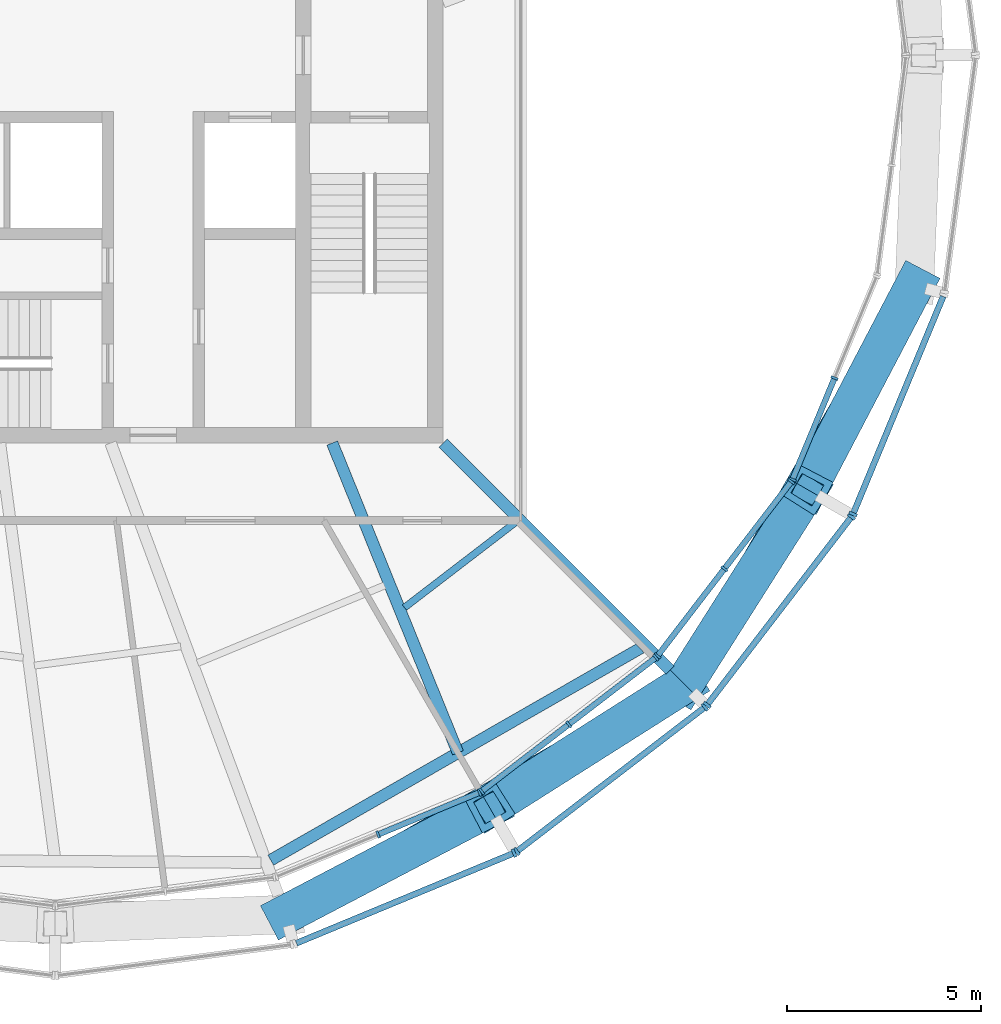
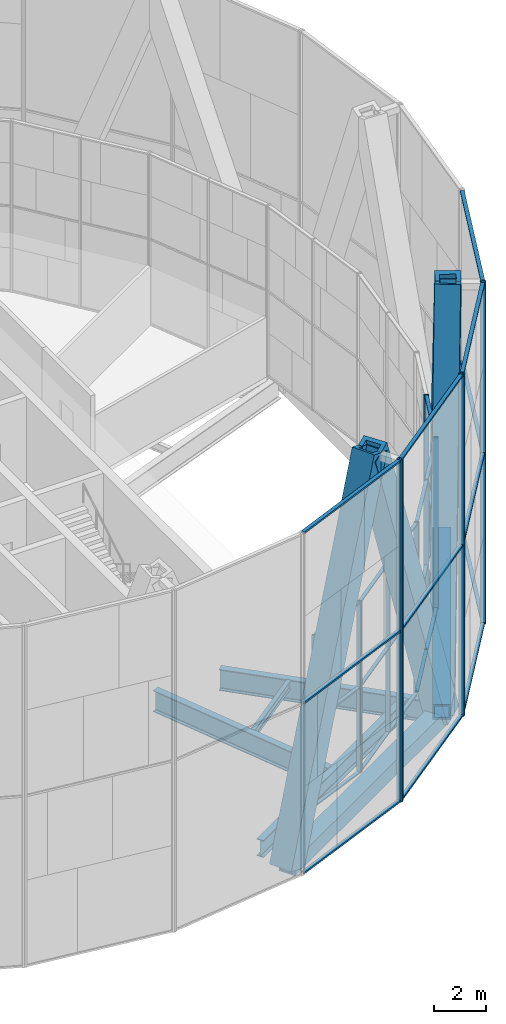
# One storey, part 4 of 22: 50 members, 6 beams, 8 elements without a shape of their own.
"""IFC4 building model written with IfcOpenShell, lengths in metres."""

import ifcopenshell
import ifcopenshell.guid

model = None  # the IFC model being written
_history = None  # IfcOwnerHistory: only IFC2X3 demands one
_inside = {}  # id of a spatial element -> (the spatial element, [elements in it])
_under = {}  # id of a project, library or spatial element -> (it, [spatial elements below it])
_declared = {}  # id of a project -> (the project, [libraries it declares])
_typed = {}  # id of a type object -> (the type object, [elements of that type])
_made_of = {}  # id of a material, layer set ... -> (it, [elements and type objects made of it])


def new_model(schema):
    """Start an empty IFC model of exactly this schema.

    Asked for "IFC4X3", IfcOpenShell would pick the latest addendum, in which some entities
    have other attributes; the version numbers below select the first issue.
    IFC2X3 requires an IfcOwnerHistory on every rooted entity: one is made here for all.
    """
    global model, _history
    if schema == "IFC4X3":
        model = ifcopenshell.file(schema_version=(4, 3, 0, 0))
    else:
        model = ifcopenshell.file(schema=schema)
    _inside.clear()
    _under.clear()
    _declared.clear()
    _typed.clear()
    _made_of.clear()
    _history = None
    if model.schema == "IFC2X3":
        org = make("IfcOrganization", Name="unknown")
        user = make(
            "IfcPersonAndOrganization",
            ThePerson=make("IfcPerson", FamilyName="unknown"),
            TheOrganization=org,
        )
        app = make(
            "IfcApplication",
            ApplicationDeveloper=org,
            Version="unknown",
            ApplicationFullName="unknown",
            ApplicationIdentifier="unknown",
        )
        _history = make(
            "IfcOwnerHistory",
            OwningUser=user,
            OwningApplication=app,
            ChangeAction="ADDED",
            CreationDate=0,
        )
    return model


def make(cls, **values):
    """One entity of the class cls with the attributes given. An attribute that is None is left unset."""
    return model.create_entity(
        cls, **{name: value for name, value in values.items() if value is not None}
    )


def rooted(cls, **values):
    """An entity with a GlobalId (a new one), such as an element, a storey or a relation."""
    return make(cls, GlobalId=ifcopenshell.guid.new(), OwnerHistory=_history, **values)


def si_unit(unit_type, name, prefix=None):
    """IfcSIUnit, for example si_unit("LENGTHUNIT", "METRE", prefix="MILLI")."""
    return make("IfcSIUnit", UnitType=unit_type, Prefix=prefix, Name=name)


def assignment(units):
    """IfcUnitAssignment: the units of a project."""
    return None if units is None else make("IfcUnitAssignment", Units=units)


def point(xyz):
    """IfcCartesianPoint."""
    return None if xyz is None else make("IfcCartesianPoint", Coordinates=xyz)


def direction(xyz):
    """IfcDirection."""
    return None if xyz is None else make("IfcDirection", DirectionRatios=xyz)


def frame(location, z_axis=None, x_axis=None):
    """IfcAxis2Placement3D, a coordinate frame: its origin and axes. An axis left out is left unset."""
    return make(
        "IfcAxis2Placement3D",
        Location=point(location),
        Axis=direction(z_axis),
        RefDirection=direction(x_axis),
    )


def frame_2d(location, x_axis=None):
    """IfcAxis2Placement2D, a coordinate frame in the plane: its origin and x axis."""
    return make(
        "IfcAxis2Placement2D", Location=point(location), RefDirection=direction(x_axis)
    )


def origin():
    """The frame at (0, 0, 0) with its axes left unset."""
    return frame((0.0, 0.0, 0.0))


def origin_2d():
    """The frame at (0, 0) in the plane with its x axis left unset."""
    return frame_2d((0.0, 0.0))


def place(relative_to, where):
    """IfcLocalPlacement: puts the frame where relative to a parent placement (None: the world)."""
    return make(
        "IfcLocalPlacement", PlacementRelTo=relative_to, RelativePlacement=where
    )


def context(
    kind, dimensions, precision=None, world=None, true_north=None, identifier=None
):
    """IfcGeometricRepresentationContext, for example the 3D "Model" context."""
    return make(
        "IfcGeometricRepresentationContext",
        ContextIdentifier=identifier,
        ContextType=kind,
        CoordinateSpaceDimension=dimensions,
        Precision=precision,
        WorldCoordinateSystem=world,
        TrueNorth=true_north,
    )


def subcontext(parent, identifier, kind, view, scale=None):
    """IfcGeometricRepresentationSubContext, for example "Body" below "Model"."""
    return make(
        "IfcGeometricRepresentationSubContext",
        ContextIdentifier=identifier,
        ContextType=kind,
        ParentContext=parent,
        TargetScale=scale,
        TargetView=view,
    )


def project(units=None, contexts=None):
    """IfcProject with its units and contexts."""
    return rooted(
        "IfcProject",
        Name="project",
        RepresentationContexts=contexts,
        UnitsInContext=assignment(units),
    )


def spatial(cls, under=None, at=None, **own):
    """A site, building, storey or space (cls), placed at a placement, below another one or the project."""
    s = rooted(cls, ObjectPlacement=at, **own)
    if under is not None:
        _under.setdefault(under.id(), (under, []))[1].append(s)
    return s


def profile(cls, at=None, kind="AREA", **sizes):
    """A parametric profile (cls). Its sizes go by their IFC names, for example OverallWidth=200.0."""
    return make(cls, ProfileType=kind, Position=at, **sizes)


def rectangle(**sizes):
    """IfcRectangleProfileDef."""
    return profile("IfcRectangleProfileDef", **sizes)


def hollow_rectangle(**sizes):
    """IfcRectangleHollowProfileDef."""
    return profile("IfcRectangleHollowProfileDef", **sizes)


def i_section(**sizes):
    """IfcIShapeProfileDef."""
    return profile("IfcIShapeProfileDef", **sizes)


def extrude(swept, where, along, depth):
    """IfcExtrudedAreaSolid: the profile swept, set in the frame where, extruded along a direction by depth."""
    return make(
        "IfcExtrudedAreaSolid",
        SweptArea=swept,
        Position=where,
        ExtrudedDirection=direction(along),
        Depth=depth,
    )


def shape(context_of_items, identifier, shape_type, items):
    """IfcShapeRepresentation: the items that make up one representation, for example the "Body"."""
    return make(
        "IfcShapeRepresentation",
        ContextOfItems=context_of_items,
        RepresentationIdentifier=identifier,
        RepresentationType=shape_type,
        Items=items,
    )


def material(Name=None, Category=None):
    """IfcMaterial."""
    return make("IfcMaterial", Name=Name, Category=Category)


def material_profile(
    of_material, cross_section, Name=None, Category=None, Priority=None
):
    """IfcMaterialProfile: a cross section and its material."""
    return make(
        "IfcMaterialProfile",
        Name=Name,
        Material=of_material,
        Profile=cross_section,
        Priority=Priority,
        Category=Category,
    )


def profile_set(profiles, Name=None, composite=None):
    """IfcMaterialProfileSet."""
    return make(
        "IfcMaterialProfileSet",
        Name=Name,
        MaterialProfiles=profiles,
        CompositeProfile=composite,
    )


def made_of(thing, what):
    """Note that an element or type object is made of a material, layer set ...; save() writes the relation."""
    if what is not None:
        _made_of.setdefault(what.id(), (what, []))[1].append(thing)
    return thing


def type_object(cls, material=None, **own):
    """A type object (cls), such as IfcWallType, which elements share."""
    return made_of(rooted(cls, **own), material)


def element(
    cls,
    number,
    at=None,
    inside=None,
    cuts=None,
    type_object=None,
    material=None,
    context=None,
    identifier="Body",
    shape_type=None,
    held_by="IfcProductDefinitionShape",
    body=None,
    shapes=None,
    **own,
):
    """One element of the class cls, such as IfcWall. Its Tag is "e" and its number.

    at: its placement. inside: the storey or other place that contains it. cuts: it is an
    opening in that element (IfcRelVoidsElement). A single representation is given by context,
    identifier, shape_type and body (its items); several are given by shapes. held_by: the class
    of the entity that holds the representations. save() writes the other relations.
    """
    e = rooted(cls, Tag="e%d" % number, ObjectPlacement=at, **own)
    if body is not None:
        shapes = [shape(context, identifier, shape_type, body)]
    if shapes is not None:
        e.Representation = make(held_by, Representations=shapes)
    if inside is not None:
        _inside.setdefault(inside.id(), (inside, []))[1].append(e)
    if cuts is not None:
        rooted(
            "IfcRelVoidsElement", RelatingBuildingElement=cuts, RelatedOpeningElement=e
        )
    if type_object is not None:
        _typed.setdefault(type_object.id(), (type_object, []))[1].append(e)
    return made_of(e, material)


def aggregate(whole, parts):
    """IfcRelAggregates: a whole, such as a stair, and the parts it consists of."""
    return rooted("IfcRelAggregates", RelatingObject=whole, RelatedObjects=parts)


def save(model, path):
    """Write the relations noted so far, then the file.

    IfcRelAggregates (storeys below a building ...), IfcRelContainedInSpatialStructure (elements
    in a storey), IfcRelDefinesByType, IfcRelAssociatesMaterial and IfcRelDeclares: one each for
    every whole, place, type object, material and project.
    """
    for whole, parts in _under.values():
        aggregate(whole, parts)
    for where, things in _inside.values():
        rooted(
            "IfcRelContainedInSpatialStructure",
            RelatedElements=things,
            RelatingStructure=where,
        )
    for kind, things in _typed.values():
        rooted("IfcRelDefinesByType", RelatedObjects=things, RelatingType=kind)
    for what, things in _made_of.values():
        rooted("IfcRelAssociatesMaterial", RelatedObjects=things, RelatingMaterial=what)
    for by, libraries in _declared.values():
        rooted("IfcRelDeclares", RelatingContext=by, RelatedDefinitions=libraries)
    model.write(path)


model = new_model("IFC4")

# Units and contexts
model_context = context("Model", 3, precision=1e-05, world=origin(), true_north=direction((0.0, 1.0)))
body_context = subcontext(model_context, "Body", "Model", "MODEL_VIEW")
ifc_project = project(units=[si_unit("LENGTHUNIT", "METRE"), si_unit("AREAUNIT", "SQUARE_METRE"), si_unit("VOLUMEUNIT", "CUBIC_METRE"), si_unit("PLANEANGLEUNIT", "RADIAN"), si_unit("MASSUNIT", "GRAM", prefix="KILO")], contexts=[model_context])

# Site, building, storey
site_placement = place(None, origin())
site = spatial("IfcSite", under=ifc_project, at=site_placement, CompositionType="ELEMENT")
building_placement = place(site_placement, origin())
building = spatial("IfcBuilding", under=site, at=building_placement, Name="Golbaran Civic Tower", CompositionType="ELEMENT")
storey_placement = place(building_placement, frame((0.0, 0.0, 264.0)))
storey = spatial("IfcBuildingStorey", under=building, at=storey_placement, Name="L64", CompositionType="ELEMENT", Elevation=264.0)

# Members
ifc_material_1 = material(Name="Steel S355", Category="steel")
ifc_material_profile_1 = material_profile(ifc_material_1, hollow_rectangle(XDim=1.0, YDim=1.0, WallThickness=0.179931640625, at=origin_2d()), Name="BOX 1000x1000x180")
ifc_profile_set_1 = profile_set([ifc_material_profile_1], Name="Steel S355")
member_type_1 = type_object("IfcMemberType", Name="DIAGRID DIAGONAL BOX 1000x1000x180", PredefinedType="BRACE", material=ifc_profile_set_1)
for number, where, z_axis, x_axis, name in (
    (1, (5.936767578125, -22.156494140625, -0.7099609375), (0.308371574219, 0.161566793339, 0.937445008256), (-0.464094506505, 0.885785690239, 0.0), "Diagonal D15-09R L64-L68"),
    (2, (16.2197265625, -16.2197265625, -0.7099609375), (0.186270223703, 0.294110126675, 0.937444738184), (-0.844818456458, 0.535053058703, 0.0), "Diagonal D15-10R L64-L68"),
    (3, (16.2197265625, -16.2197265625, -0.7099609375), (-0.294110126675, -0.186270223703, 0.937444738184), (0.535053058703, -0.844818456458, 0.0), "Diagonal D15-10L L64-L68"),
    (4, (22.156494140625, -5.936767578125, -0.7099609375), (-0.161566793339, -0.308371574219, 0.937445008256), (0.885785690239, -0.464094506505, 0.0), "Diagonal D15-11L L64-L68"),
):
    element("IfcMember", number, at=place(storey_placement, frame(where, z_axis=z_axis, x_axis=x_axis)), inside=storey, type_object=member_type_1, Name=name, PredefinedType="BRACE", context=body_context, shape_type="SweptSolid", body=[
        extrude(hollow_rectangle(XDim=1.0, YDim=1.0, WallThickness=0.179931640625, at=origin_2d()), origin(), (0.0, 0.0, 1.0), 17.067626953125),
    ])

# Beams
ifc_material_profile_2 = material_profile(ifc_material_1, hollow_rectangle(XDim=0.699951171875, YDim=0.699951171875, WallThickness=0.080078125, at=origin_2d()), Name="BOX 700x700x80")
ifc_profile_set_2 = profile_set([ifc_material_profile_2], Name="Steel S355")
beam_type_1 = type_object("IfcBeamType", Name="DIAGRID RING TIE BOX 700x700x80", PredefinedType="BEAM", material=ifc_profile_set_2)
for number, where, z_axis, x_axis, name in (
    (5, (5.936767578125, -22.156494140625, -0.7099609375), (0.866029107461, 0.499993584989, 0.0), (-0.499993584989, 0.866029107461, 0.0), "Ring tie 285.00 L64"),
    (6, (16.2197265625, -16.2197265625, -0.7099609375), (0.499993584989, 0.866029107461, 0.0), (-0.866029107461, 0.499993584989, 0.0), "Ring tie 315.00 L64"),
):
    element("IfcBeam", number, at=place(storey_placement, frame(where, z_axis=z_axis, x_axis=x_axis)), inside=storey, type_object=beam_type_1, Name=name, PredefinedType="BEAM", context=body_context, shape_type="SweptSolid", body=[
        extrude(hollow_rectangle(XDim=0.699951171875, YDim=0.699951171875, WallThickness=0.080078125, at=origin_2d()), origin(), (0.0, 0.0, 1.0), 11.873779296875),
    ])
ifc_material_profile_3 = material_profile(ifc_material_1, i_section(OverallWidth=0.300048828125, OverallDepth=0.800048828125, WebThickness=0.017578125, FlangeThickness=0.032958984375, FilletRadius=0.030029296875, at=origin_2d()), Name="HEB 800")
ifc_profile_set_3 = profile_set([ifc_material_profile_3], Name="Steel S355")
beam_type_2 = type_object("IfcBeamType", Name="EDGE BEAM HEB 800", PredefinedType="BEAM", material=ifc_profile_set_3)
beam_1_placement = place(storey_placement, frame((5.55615234375, -20.75634765625, -0.60009765625), z_axis=(0.867569109913, 0.4973166391, 0.0), x_axis=(-0.4973166391, 0.867569109913, 0.0)))
element("IfcBeam", 7, at=beam_1_placement, inside=storey, type_object=beam_type_2, Name="Edge beam 285.00 L64", PredefinedType="BEAM", context=body_context, shape_type="SweptSolid", body=[
    extrude(i_section(OverallWidth=0.300048828125, OverallDepth=0.800048828125, WebThickness=0.017578125, FlangeThickness=0.032958984375, FilletRadius=0.030029296875, at=origin_2d()), origin(), (0.0, 0.0, 1.0), 11.001953125),
])
ifc_material_profile_4 = material_profile(ifc_material_1, i_section(OverallWidth=0.179931640625, OverallDepth=0.39990234375, WebThickness=0.008544921875, FlangeThickness=0.013427734375, FilletRadius=0.02099609375, at=origin_2d()), Name="IPE 400")
ifc_profile_set_4 = profile_set([ifc_material_profile_4], Name="Steel S355")
beam_type_3 = type_object("IfcBeamType", Name="FLOOR INFILL BEAM IPE 400", PredefinedType="BEAM", material=ifc_profile_set_4)
beam_2_placement = place(storey_placement, frame((9.00537109375, -14.24267578125, -0.39990234375), z_axis=(0.793351170726, 0.608764256431, 0.0), x_axis=(-0.608764256431, 0.793351170726, 0.0)))
element("IfcBeam", 8, at=beam_2_placement, inside=storey, type_object=beam_type_3, Name="Infill beam 307.50 L64", PredefinedType="BEAM", context=body_context, shape_type="SweptSolid", body=[
    extrude(i_section(OverallWidth=0.179931640625, OverallDepth=0.39990234375, WebThickness=0.008544921875, FlangeThickness=0.013427734375, FilletRadius=0.02099609375, at=origin_2d()), origin(), (0.0, 0.0, 1.0), 3.604248046875),
])

# Curtain wall, members
ifc_material_2 = material(Name="Aluminium and glass", Category="aluminium")
curtain_wall_type_1 = type_object("IfcCurtainWallType", Name="INNER SKIN CURTAIN WALL EXECUTIVE", PredefinedType="NOTDEFINED", material=ifc_material_2)
curtain_wall_1_placement = place(storey_placement, origin())
curtain_wall_1 = element("IfcCurtainWall", 9, at=curtain_wall_1_placement, inside=storey, type_object=curtain_wall_type_1, Name="Inner skin L64 facet 20 CW2", ObjectType="INNER SKIN", PredefinedType="USERDEFINED")
ifc_material_3 = material(Name="Aluminium", Category="aluminium")
ifc_material_profile_5 = material_profile(ifc_material_3, rectangle(XDim=0.199951171875, YDim=0.06005859375, at=origin_2d()), Name="INNER SKIN CURTAIN WALL EXECUTIVE MULLION")
ifc_profile_set_5 = profile_set([ifc_material_profile_5], Name="Aluminium")
member_type_2 = type_object("IfcMemberType", Name="INNER SKIN CURTAIN WALL EXECUTIVE MULLION", PredefinedType="MULLION", material=ifc_profile_set_5)
member_1_placement = place(storey_placement, frame((8.323974609375, -20.095703125, 0.0), z_axis=(0.0, 0.0, 1.0), x_axis=(-0.382683432349, 0.923879532518, 0.0)))
member_1 = element("IfcMember", 10, at=member_1_placement, type_object=member_type_2, Name="CW2 mullion 2", PredefinedType="MULLION", context=body_context, shape_type="SweptSolid", body=[
    extrude(rectangle(XDim=0.199951171875, YDim=0.06005859375, at=origin_2d()), origin(), (0.0, 0.0, 1.0), 8.0),
])
member_2_placement = place(storey_placement, frame((10.94189453125, -19.01123046875, 0.0), z_axis=(0.0, 0.0, 1.0), x_axis=(-0.382683432349, 0.923879532518, 0.0)))
member_2 = element("IfcMember", 11, at=member_2_placement, type_object=member_type_2, Name="CW2 mullion 3", PredefinedType="MULLION", context=body_context, shape_type="SweptSolid", body=[
    extrude(rectangle(XDim=0.199951171875, YDim=0.06005859375, at=origin_2d()), origin(), (0.0, 0.0, 1.0), 8.0),
])

curtain_wall_2_placement = place(storey_placement, origin())
curtain_wall_2 = element("IfcCurtainWall", 12, at=curtain_wall_2_placement, inside=storey, type_object=curtain_wall_type_1, Name="Inner skin L64 facet 21 CW2", ObjectType="INNER SKIN", PredefinedType="USERDEFINED")
member_3_placement = place(storey_placement, frame((10.993408203125, -18.9814453125, 0.0), z_axis=(0.0, 0.0, 1.0), x_axis=(-0.608761429133, 0.793353340196, 0.0)))
member_3 = element("IfcMember", 13, at=member_3_placement, type_object=member_type_2, Name="CW2 mullion 1", PredefinedType="MULLION", context=body_context, shape_type="SweptSolid", body=[
    extrude(rectangle(XDim=0.199951171875, YDim=0.06005859375, at=origin_2d()), origin(), (0.0, 0.0, 1.0), 8.0),
])
member_4_placement = place(storey_placement, frame((13.241455078125, -17.256591796875, 0.0), z_axis=(0.0, 0.0, 1.0), x_axis=(-0.608761429133, 0.793353340196, 0.0)))
member_4 = element("IfcMember", 14, at=member_4_placement, type_object=member_type_2, Name="CW2 mullion 2", PredefinedType="MULLION", context=body_context, shape_type="SweptSolid", body=[
    extrude(rectangle(XDim=0.199951171875, YDim=0.06005859375, at=origin_2d()), origin(), (0.0, 0.0, 1.0), 8.0),
])
member_5_placement = place(storey_placement, frame((15.489501953125, -15.531494140625, 0.0), z_axis=(0.0, 0.0, 1.0), x_axis=(-0.608761429133, 0.793353340196, 0.0)))
member_5 = element("IfcMember", 15, at=member_5_placement, type_object=member_type_2, Name="CW2 mullion 3", PredefinedType="MULLION", context=body_context, shape_type="SweptSolid", body=[
    extrude(rectangle(XDim=0.199951171875, YDim=0.06005859375, at=origin_2d()), origin(), (0.0, 0.0, 1.0), 8.0),
])

curtain_wall_3_placement = place(storey_placement, origin())
curtain_wall_3 = element("IfcCurtainWall", 16, at=curtain_wall_3_placement, inside=storey, type_object=curtain_wall_type_1, Name="Inner skin L64 facet 22 CW2", ObjectType="INNER SKIN", PredefinedType="USERDEFINED")
member_6_placement = place(storey_placement, frame((15.531494140625, -15.489501953125, 0.0), z_axis=(0.0, 0.0, 1.0), x_axis=(-0.793353340196, 0.608761429133, 0.0)))
member_6 = element("IfcMember", 17, at=member_6_placement, type_object=member_type_2, Name="CW2 mullion 1", PredefinedType="MULLION", context=body_context, shape_type="SweptSolid", body=[
    extrude(rectangle(XDim=0.199951171875, YDim=0.06005859375, at=origin_2d()), origin(), (0.0, 0.0, 1.0), 8.0),
])
member_7_placement = place(storey_placement, frame((17.256591796875, -13.241455078125, 0.0), z_axis=(0.0, 0.0, 1.0), x_axis=(-0.793353340196, 0.608761429133, 0.0)))
member_7 = element("IfcMember", 18, at=member_7_placement, type_object=member_type_2, Name="CW2 mullion 2", PredefinedType="MULLION", context=body_context, shape_type="SweptSolid", body=[
    extrude(rectangle(XDim=0.199951171875, YDim=0.06005859375, at=origin_2d()), origin(), (0.0, 0.0, 1.0), 8.0),
])
member_8_placement = place(storey_placement, frame((18.9814453125, -10.993408203125, 0.0), z_axis=(0.0, 0.0, 1.0), x_axis=(-0.793353340196, 0.608761429133, 0.0)))
member_8 = element("IfcMember", 19, at=member_8_placement, type_object=member_type_2, Name="CW2 mullion 3", PredefinedType="MULLION", context=body_context, shape_type="SweptSolid", body=[
    extrude(rectangle(XDim=0.199951171875, YDim=0.06005859375, at=origin_2d()), origin(), (0.0, 0.0, 1.0), 8.0),
])

curtain_wall_4_placement = place(storey_placement, origin())
curtain_wall_4 = element("IfcCurtainWall", 20, at=curtain_wall_4_placement, inside=storey, type_object=curtain_wall_type_1, Name="Inner skin L64 facet 23 CW2", ObjectType="INNER SKIN", PredefinedType="USERDEFINED")
member_9_placement = place(storey_placement, frame((19.01123046875, -10.94189453125, 0.0), z_axis=(0.0, 0.0, 1.0), x_axis=(-0.923879532518, 0.382683432349, 0.0)))
member_9 = element("IfcMember", 21, at=member_9_placement, type_object=member_type_2, Name="CW2 mullion 1", PredefinedType="MULLION", context=body_context, shape_type="SweptSolid", body=[
    extrude(rectangle(XDim=0.199951171875, YDim=0.06005859375, at=origin_2d()), origin(), (0.0, 0.0, 1.0), 8.0),
])
member_10_placement = place(storey_placement, frame((20.095703125, -8.323974609375, 0.0), z_axis=(0.0, 0.0, 1.0), x_axis=(-0.923879532518, 0.382683432349, 0.0)))
member_10 = element("IfcMember", 22, at=member_10_placement, type_object=member_type_2, Name="CW2 mullion 2", PredefinedType="MULLION", context=body_context, shape_type="SweptSolid", body=[
    extrude(rectangle(XDim=0.199951171875, YDim=0.06005859375, at=origin_2d()), origin(), (0.0, 0.0, 1.0), 8.0),
])

# Member
ifc_material_profile_6 = material_profile(ifc_material_3, rectangle(XDim=0.14990234375, YDim=0.06005859375, at=origin_2d()), Name="INNER SKIN CURTAIN WALL EXECUTIVE TRANSOM")
ifc_profile_set_6 = profile_set([ifc_material_profile_6], Name="Aluminium")
member_type_3 = type_object("IfcMemberType", Name="INNER SKIN CURTAIN WALL EXECUTIVE TRANSOM", PredefinedType="USERDEFINED", material=ifc_profile_set_6)
member_11_placement = place(storey_placement, frame((8.3515625, -20.084228515625, 0.030029296875), z_axis=(0.923866634297, 0.382714569924, 0.0), x_axis=(-0.382714569924, 0.923866634297, 0.0)))
member_11 = element("IfcMember", 23, at=member_11_placement, type_object=member_type_3, Name="CW2 transom 2.1", ObjectType="TRANSOM", PredefinedType="USERDEFINED", context=body_context, shape_type="SweptSolid", body=[
    extrude(rectangle(XDim=0.14990234375, YDim=0.06005859375, at=origin_2d()), origin(), (0.0, 0.0, 1.0), 2.773681640625),
])

member_12_placement = place(storey_placement, frame((8.3515625, -20.084228515625, 4.0), z_axis=(0.923866634297, 0.382714569924, 0.0), x_axis=(-0.382714569924, 0.923866634297, 0.0)))
member_12 = element("IfcMember", 24, at=member_12_placement, type_object=member_type_3, Name="CW2 transom 2.2", ObjectType="TRANSOM", PredefinedType="USERDEFINED", context=body_context, shape_type="SweptSolid", body=[
    extrude(rectangle(XDim=0.14990234375, YDim=0.06005859375, at=origin_2d()), origin(), (0.0, 0.0, 1.0), 2.773681640625),
])

member_13_placement = place(storey_placement, frame((8.3515625, -20.084228515625, 7.969970703125), z_axis=(0.923866634297, 0.382714569924, 0.0), x_axis=(-0.382714569924, 0.923866634297, 0.0)))
member_13 = element("IfcMember", 25, at=member_13_placement, type_object=member_type_3, Name="CW2 transom 2.3", ObjectType="TRANSOM", PredefinedType="USERDEFINED", context=body_context, shape_type="SweptSolid", body=[
    extrude(rectangle(XDim=0.14990234375, YDim=0.06005859375, at=origin_2d()), origin(), (0.0, 0.0, 1.0), 2.773681640625),
])

aggregate(curtain_wall_1, [member_1, member_2, member_11, member_12, member_13])

member_14_placement = place(storey_placement, frame((11.01708984375, -18.963134765625, 0.030029296875), z_axis=(0.793349860378, 0.608765964093, 0.0), x_axis=(-0.608765964093, 0.793349860378, 0.0)))
member_14 = element("IfcMember", 26, at=member_14_placement, type_object=member_type_3, Name="CW2 transom 1.1", ObjectType="TRANSOM", PredefinedType="USERDEFINED", context=body_context, shape_type="SweptSolid", body=[
    extrude(rectangle(XDim=0.14990234375, YDim=0.06005859375, at=origin_2d()), origin(), (0.0, 0.0, 1.0), 2.773681640625),
])

member_15_placement = place(storey_placement, frame((11.01708984375, -18.963134765625, 4.0), z_axis=(0.793349860378, 0.608765964093, 0.0), x_axis=(-0.608765964093, 0.793349860378, 0.0)))
member_15 = element("IfcMember", 27, at=member_15_placement, type_object=member_type_3, Name="CW2 transom 1.2", ObjectType="TRANSOM", PredefinedType="USERDEFINED", context=body_context, shape_type="SweptSolid", body=[
    extrude(rectangle(XDim=0.14990234375, YDim=0.06005859375, at=origin_2d()), origin(), (0.0, 0.0, 1.0), 2.773681640625),
])

member_16_placement = place(storey_placement, frame((11.01708984375, -18.963134765625, 7.969970703125), z_axis=(0.793349860378, 0.608765964093, 0.0), x_axis=(-0.608765964093, 0.793349860378, 0.0)))
member_16 = element("IfcMember", 28, at=member_16_placement, type_object=member_type_3, Name="CW2 transom 1.3", ObjectType="TRANSOM", PredefinedType="USERDEFINED", context=body_context, shape_type="SweptSolid", body=[
    extrude(rectangle(XDim=0.14990234375, YDim=0.06005859375, at=origin_2d()), origin(), (0.0, 0.0, 1.0), 2.773681640625),
])

member_17_placement = place(storey_placement, frame((13.26513671875, -17.23828125, 0.030029296875), z_axis=(0.793349860378, 0.608765964093, 0.0), x_axis=(-0.608765964093, 0.793349860378, 0.0)))
member_17 = element("IfcMember", 29, at=member_17_placement, type_object=member_type_3, Name="CW2 transom 2.1", ObjectType="TRANSOM", PredefinedType="USERDEFINED", context=body_context, shape_type="SweptSolid", body=[
    extrude(rectangle(XDim=0.14990234375, YDim=0.06005859375, at=origin_2d()), origin(), (0.0, 0.0, 1.0), 2.773681640625),
])

member_18_placement = place(storey_placement, frame((13.26513671875, -17.23828125, 4.0), z_axis=(0.793349860378, 0.608765964093, 0.0), x_axis=(-0.608765964093, 0.793349860378, 0.0)))
member_18 = element("IfcMember", 30, at=member_18_placement, type_object=member_type_3, Name="CW2 transom 2.2", ObjectType="TRANSOM", PredefinedType="USERDEFINED", context=body_context, shape_type="SweptSolid", body=[
    extrude(rectangle(XDim=0.14990234375, YDim=0.06005859375, at=origin_2d()), origin(), (0.0, 0.0, 1.0), 2.773681640625),
])

member_19_placement = place(storey_placement, frame((13.26513671875, -17.23828125, 7.969970703125), z_axis=(0.793349860378, 0.608765964093, 0.0), x_axis=(-0.608765964093, 0.793349860378, 0.0)))
member_19 = element("IfcMember", 31, at=member_19_placement, type_object=member_type_3, Name="CW2 transom 2.3", ObjectType="TRANSOM", PredefinedType="USERDEFINED", context=body_context, shape_type="SweptSolid", body=[
    extrude(rectangle(XDim=0.14990234375, YDim=0.06005859375, at=origin_2d()), origin(), (0.0, 0.0, 1.0), 2.773681640625),
])

aggregate(curtain_wall_2, [member_3, member_4, member_5, member_14, member_15, member_16, member_17, member_18, member_19])

member_20_placement = place(storey_placement, frame((15.5498046875, -15.465576171875, 0.030029296875), z_axis=(0.608765964093, 0.793349860378, 0.0), x_axis=(-0.793349860378, 0.608765964093, 0.0)))
member_20 = element("IfcMember", 32, at=member_20_placement, type_object=member_type_3, Name="CW2 transom 1.1", ObjectType="TRANSOM", PredefinedType="USERDEFINED", context=body_context, shape_type="SweptSolid", body=[
    extrude(rectangle(XDim=0.14990234375, YDim=0.06005859375, at=origin_2d()), origin(), (0.0, 0.0, 1.0), 2.773681640625),
])

member_21_placement = place(storey_placement, frame((15.5498046875, -15.465576171875, 4.0), z_axis=(0.608765964093, 0.793349860378, 0.0), x_axis=(-0.793349860378, 0.608765964093, 0.0)))
member_21 = element("IfcMember", 33, at=member_21_placement, type_object=member_type_3, Name="CW2 transom 1.2", ObjectType="TRANSOM", PredefinedType="USERDEFINED", context=body_context, shape_type="SweptSolid", body=[
    extrude(rectangle(XDim=0.14990234375, YDim=0.06005859375, at=origin_2d()), origin(), (0.0, 0.0, 1.0), 2.773681640625),
])

member_22_placement = place(storey_placement, frame((15.5498046875, -15.465576171875, 7.969970703125), z_axis=(0.608765964093, 0.793349860378, 0.0), x_axis=(-0.793349860378, 0.608765964093, 0.0)))
member_22 = element("IfcMember", 34, at=member_22_placement, type_object=member_type_3, Name="CW2 transom 1.3", ObjectType="TRANSOM", PredefinedType="USERDEFINED", context=body_context, shape_type="SweptSolid", body=[
    extrude(rectangle(XDim=0.14990234375, YDim=0.06005859375, at=origin_2d()), origin(), (0.0, 0.0, 1.0), 2.773681640625),
])

member_23_placement = place(storey_placement, frame((17.274658203125, -13.217529296875, 0.030029296875), z_axis=(0.608765964093, 0.793349860378, 0.0), x_axis=(-0.793349860378, 0.608765964093, 0.0)))
member_23 = element("IfcMember", 35, at=member_23_placement, type_object=member_type_3, Name="CW2 transom 2.1", ObjectType="TRANSOM", PredefinedType="USERDEFINED", context=body_context, shape_type="SweptSolid", body=[
    extrude(rectangle(XDim=0.14990234375, YDim=0.06005859375, at=origin_2d()), origin(), (0.0, 0.0, 1.0), 2.773681640625),
])

member_24_placement = place(storey_placement, frame((17.274658203125, -13.217529296875, 4.0), z_axis=(0.608765964093, 0.793349860378, 0.0), x_axis=(-0.793349860378, 0.608765964093, 0.0)))
member_24 = element("IfcMember", 36, at=member_24_placement, type_object=member_type_3, Name="CW2 transom 2.2", ObjectType="TRANSOM", PredefinedType="USERDEFINED", context=body_context, shape_type="SweptSolid", body=[
    extrude(rectangle(XDim=0.14990234375, YDim=0.06005859375, at=origin_2d()), origin(), (0.0, 0.0, 1.0), 2.773681640625),
])

member_25_placement = place(storey_placement, frame((17.274658203125, -13.217529296875, 7.969970703125), z_axis=(0.608765964093, 0.793349860378, 0.0), x_axis=(-0.793349860378, 0.608765964093, 0.0)))
member_25 = element("IfcMember", 37, at=member_25_placement, type_object=member_type_3, Name="CW2 transom 2.3", ObjectType="TRANSOM", PredefinedType="USERDEFINED", context=body_context, shape_type="SweptSolid", body=[
    extrude(rectangle(XDim=0.14990234375, YDim=0.06005859375, at=origin_2d()), origin(), (0.0, 0.0, 1.0), 2.773681640625),
])

aggregate(curtain_wall_3, [member_6, member_7, member_8, member_20, member_21, member_22, member_23, member_24, member_25])

member_26_placement = place(storey_placement, frame((19.022705078125, -10.9140625, 0.030029296875), z_axis=(0.382714569924, 0.923866634297, 0.0), x_axis=(-0.923866634297, 0.382714569924, 0.0)))
member_26 = element("IfcMember", 38, at=member_26_placement, type_object=member_type_3, Name="CW2 transom 1.1", ObjectType="TRANSOM", PredefinedType="USERDEFINED", context=body_context, shape_type="SweptSolid", body=[
    extrude(rectangle(XDim=0.14990234375, YDim=0.06005859375, at=origin_2d()), origin(), (0.0, 0.0, 1.0), 2.773681640625),
])

member_27_placement = place(storey_placement, frame((19.022705078125, -10.9140625, 4.0), z_axis=(0.382714569924, 0.923866634297, 0.0), x_axis=(-0.923866634297, 0.382714569924, 0.0)))
member_27 = element("IfcMember", 39, at=member_27_placement, type_object=member_type_3, Name="CW2 transom 1.2", ObjectType="TRANSOM", PredefinedType="USERDEFINED", context=body_context, shape_type="SweptSolid", body=[
    extrude(rectangle(XDim=0.14990234375, YDim=0.06005859375, at=origin_2d()), origin(), (0.0, 0.0, 1.0), 2.773681640625),
])

member_28_placement = place(storey_placement, frame((19.022705078125, -10.9140625, 7.969970703125), z_axis=(0.382714569924, 0.923866634297, 0.0), x_axis=(-0.923866634297, 0.382714569924, 0.0)))
member_28 = element("IfcMember", 40, at=member_28_placement, type_object=member_type_3, Name="CW2 transom 1.3", ObjectType="TRANSOM", PredefinedType="USERDEFINED", context=body_context, shape_type="SweptSolid", body=[
    extrude(rectangle(XDim=0.14990234375, YDim=0.06005859375, at=origin_2d()), origin(), (0.0, 0.0, 1.0), 2.773681640625),
])

aggregate(curtain_wall_4, [member_9, member_10, member_26, member_27, member_28])

# Curtain wall, member
curtain_wall_type_2 = type_object("IfcCurtainWallType", Name="OUTER SKIN TERRACOTTA SCREEN", PredefinedType="NOTDEFINED", material=ifc_material_2)
curtain_wall_5_placement = place(storey_placement, origin())
curtain_wall_5 = element("IfcCurtainWall", 41, at=curtain_wall_5_placement, inside=storey, type_object=curtain_wall_type_2, Name="Outer skin L64 facet 20 CW3", ObjectType="OUTER SKIN", PredefinedType="USERDEFINED")
ifc_material_profile_7 = material_profile(ifc_material_3, rectangle(XDim=0.219970703125, YDim=0.080078125, at=origin_2d()), Name="OUTER SKIN TERRACOTTA SCREEN MULLION")
ifc_profile_set_7 = profile_set([ifc_material_profile_7], Name="Aluminium")
member_type_4 = type_object("IfcMemberType", Name="OUTER SKIN TERRACOTTA SCREEN MULLION", PredefinedType="MULLION", material=ifc_profile_set_7)
member_29_placement = place(storey_placement, frame((11.83203125, -20.572998046875, -0.7099609375), z_axis=(0.0, 0.0, 1.0), x_axis=(-0.382683432333, 0.923879532525, 0.0)))
member_29 = element("IfcMember", 42, at=member_29_placement, type_object=member_type_4, Name="CW3 mullion 2", PredefinedType="MULLION", context=body_context, shape_type="SweptSolid", body=[
    extrude(rectangle(XDim=0.219970703125, YDim=0.080078125, at=origin_2d()), origin(), (0.0, 0.0, 1.0), 16.0),
])

# Curtain wall, members
curtain_wall_6_placement = place(storey_placement, origin())
curtain_wall_6 = element("IfcCurtainWall", 43, at=curtain_wall_6_placement, inside=storey, type_object=curtain_wall_type_2, Name="Outer skin L64 facet 21 CW3", ObjectType="OUTER SKIN", PredefinedType="USERDEFINED")
member_30_placement = place(storey_placement, frame((11.900634765625, -20.533447265625, -0.7099609375), z_axis=(0.0, 0.0, 1.0), x_axis=(-0.608761428967, 0.793353340323, 0.0)))
member_30 = element("IfcMember", 44, at=member_30_placement, type_object=member_type_4, Name="CW3 mullion 1", PredefinedType="MULLION", context=body_context, shape_type="SweptSolid", body=[
    extrude(rectangle(XDim=0.219970703125, YDim=0.080078125, at=origin_2d()), origin(), (0.0, 0.0, 1.0), 16.0),
])
member_31_placement = place(storey_placement, frame((16.753662109375, -16.8095703125, -0.7099609375), z_axis=(0.0, 0.0, 1.0), x_axis=(-0.608761428967, 0.793353340323, 0.0)))
member_31 = element("IfcMember", 45, at=member_31_placement, type_object=member_type_4, Name="CW3 mullion 2", PredefinedType="MULLION", context=body_context, shape_type="SweptSolid", body=[
    extrude(rectangle(XDim=0.219970703125, YDim=0.080078125, at=origin_2d()), origin(), (0.0, 0.0, 1.0), 16.0),
])

curtain_wall_7_placement = place(storey_placement, origin())
curtain_wall_7 = element("IfcCurtainWall", 46, at=curtain_wall_7_placement, inside=storey, type_object=curtain_wall_type_2, Name="Outer skin L64 facet 22 CW3", ObjectType="OUTER SKIN", PredefinedType="USERDEFINED")
member_32_placement = place(storey_placement, frame((16.8095703125, -16.753662109375, -0.7099609375), z_axis=(0.0, 0.0, 1.0), x_axis=(-0.793353340323, 0.608761428967, 0.0)))
member_32 = element("IfcMember", 47, at=member_32_placement, type_object=member_type_4, Name="CW3 mullion 1", PredefinedType="MULLION", context=body_context, shape_type="SweptSolid", body=[
    extrude(rectangle(XDim=0.219970703125, YDim=0.080078125, at=origin_2d()), origin(), (0.0, 0.0, 1.0), 16.0),
])
member_33_placement = place(storey_placement, frame((20.533447265625, -11.900634765625, -0.7099609375), z_axis=(0.0, 0.0, 1.0), x_axis=(-0.793353340323, 0.608761428967, 0.0)))
member_33 = element("IfcMember", 48, at=member_33_placement, type_object=member_type_4, Name="CW3 mullion 2", PredefinedType="MULLION", context=body_context, shape_type="SweptSolid", body=[
    extrude(rectangle(XDim=0.219970703125, YDim=0.080078125, at=origin_2d()), origin(), (0.0, 0.0, 1.0), 16.0),
])

# Curtain wall, member
curtain_wall_8_placement = place(storey_placement, origin())
curtain_wall_8 = element("IfcCurtainWall", 49, at=curtain_wall_8_placement, inside=storey, type_object=curtain_wall_type_2, Name="Outer skin L64 facet 23 CW3", ObjectType="OUTER SKIN", PredefinedType="USERDEFINED")
member_34_placement = place(storey_placement, frame((20.572998046875, -11.83203125, -0.7099609375), z_axis=(0.0, 0.0, 1.0), x_axis=(-0.923879532525, 0.382683432333, 0.0)))
member_34 = element("IfcMember", 50, at=member_34_placement, type_object=member_type_4, Name="CW3 mullion 1", PredefinedType="MULLION", context=body_context, shape_type="SweptSolid", body=[
    extrude(rectangle(XDim=0.219970703125, YDim=0.080078125, at=origin_2d()), origin(), (0.0, 0.0, 1.0), 16.0),
])

# Member
ifc_material_profile_8 = material_profile(ifc_material_3, rectangle(XDim=0.159912109375, YDim=0.080078125, at=origin_2d()), Name="OUTER SKIN TERRACOTTA SCREEN TRANSOM")
ifc_profile_set_8 = profile_set([ifc_material_profile_8], Name="Aluminium")
member_type_5 = type_object("IfcMemberType", Name="OUTER SKIN TERRACOTTA SCREEN TRANSOM", PredefinedType="USERDEFINED", material=ifc_profile_set_8)
member_35_placement = place(storey_placement, frame((6.2177734375, -22.8984375, -0.669921875), z_axis=(0.923889667275, 0.382658963964, 0.0), x_axis=(-0.382658963964, 0.923889667275, 0.0)))
member_35 = element("IfcMember", 51, at=member_35_placement, type_object=member_type_5, Name="CW3 transom 1.1", ObjectType="TRANSOM", PredefinedType="USERDEFINED", context=body_context, shape_type="SweptSolid", body=[
    extrude(rectangle(XDim=0.159912109375, YDim=0.080078125, at=origin_2d()), origin(), (0.0, 0.0, 1.0), 6.036865234375),
])

member_36_placement = place(storey_placement, frame((6.2177734375, -22.8984375, 7.2900390625), z_axis=(0.923889667275, 0.382658963964, 0.0), x_axis=(-0.382658963964, 0.923889667275, 0.0)))
member_36 = element("IfcMember", 52, at=member_36_placement, type_object=member_type_5, Name="CW3 transom 1.2", ObjectType="TRANSOM", PredefinedType="USERDEFINED", context=body_context, shape_type="SweptSolid", body=[
    extrude(rectangle(XDim=0.159912109375, YDim=0.080078125, at=origin_2d()), origin(), (0.0, 0.0, 1.0), 6.036865234375),
])

member_37_placement = place(storey_placement, frame((6.2177734375, -22.8984375, 15.25), z_axis=(0.923889667275, 0.382658963964, 0.0), x_axis=(-0.382658963964, 0.923889667275, 0.0)))
member_37 = element("IfcMember", 53, at=member_37_placement, type_object=member_type_5, Name="CW3 transom 1.3", ObjectType="TRANSOM", PredefinedType="USERDEFINED", context=body_context, shape_type="SweptSolid", body=[
    extrude(rectangle(XDim=0.159912109375, YDim=0.080078125, at=origin_2d()), origin(), (0.0, 0.0, 1.0), 6.036865234375),
])

aggregate(curtain_wall_5, [member_29, member_35, member_36, member_37])

member_38_placement = place(storey_placement, frame((11.932373046875, -20.509033203125, -0.669921875), z_axis=(0.793361559952, 0.608750716789, 0.0), x_axis=(-0.608750716789, 0.793361559952, 0.0)))
member_38 = element("IfcMember", 54, at=member_38_placement, type_object=member_type_5, Name="CW3 transom 1.1", ObjectType="TRANSOM", PredefinedType="USERDEFINED", context=body_context, shape_type="SweptSolid", body=[
    extrude(rectangle(XDim=0.159912109375, YDim=0.080078125, at=origin_2d()), origin(), (0.0, 0.0, 1.0), 6.037109375),
])

member_39_placement = place(storey_placement, frame((11.932373046875, -20.509033203125, 7.2900390625), z_axis=(0.793361559952, 0.608750716789, 0.0), x_axis=(-0.608750716789, 0.793361559952, 0.0)))
member_39 = element("IfcMember", 55, at=member_39_placement, type_object=member_type_5, Name="CW3 transom 1.2", ObjectType="TRANSOM", PredefinedType="USERDEFINED", context=body_context, shape_type="SweptSolid", body=[
    extrude(rectangle(XDim=0.159912109375, YDim=0.080078125, at=origin_2d()), origin(), (0.0, 0.0, 1.0), 6.037109375),
])

member_40_placement = place(storey_placement, frame((11.932373046875, -20.509033203125, 15.25), z_axis=(0.793361559952, 0.608750716789, 0.0), x_axis=(-0.608750716789, 0.793361559952, 0.0)))
member_40 = element("IfcMember", 56, at=member_40_placement, type_object=member_type_5, Name="CW3 transom 1.3", ObjectType="TRANSOM", PredefinedType="USERDEFINED", context=body_context, shape_type="SweptSolid", body=[
    extrude(rectangle(XDim=0.159912109375, YDim=0.080078125, at=origin_2d()), origin(), (0.0, 0.0, 1.0), 6.037109375),
])

aggregate(curtain_wall_6, [member_30, member_31, member_38, member_39, member_40])

member_41_placement = place(storey_placement, frame((16.833984375, -16.721923828125, -0.669921875), z_axis=(0.608750716789, 0.793361559952, 0.0), x_axis=(-0.793361559952, 0.608750716789, 0.0)))
member_41 = element("IfcMember", 57, at=member_41_placement, type_object=member_type_5, Name="CW3 transom 1.1", ObjectType="TRANSOM", PredefinedType="USERDEFINED", context=body_context, shape_type="SweptSolid", body=[
    extrude(rectangle(XDim=0.159912109375, YDim=0.080078125, at=origin_2d()), origin(), (0.0, 0.0, 1.0), 6.037109375),
])

member_42_placement = place(storey_placement, frame((16.833984375, -16.721923828125, 7.2900390625), z_axis=(0.608750716789, 0.793361559952, 0.0), x_axis=(-0.793361559952, 0.608750716789, 0.0)))
member_42 = element("IfcMember", 58, at=member_42_placement, type_object=member_type_5, Name="CW3 transom 1.2", ObjectType="TRANSOM", PredefinedType="USERDEFINED", context=body_context, shape_type="SweptSolid", body=[
    extrude(rectangle(XDim=0.159912109375, YDim=0.080078125, at=origin_2d()), origin(), (0.0, 0.0, 1.0), 6.037109375),
])

member_43_placement = place(storey_placement, frame((16.833984375, -16.721923828125, 15.25), z_axis=(0.608750716789, 0.793361559952, 0.0), x_axis=(-0.793361559952, 0.608750716789, 0.0)))
member_43 = element("IfcMember", 59, at=member_43_placement, type_object=member_type_5, Name="CW3 transom 1.3", ObjectType="TRANSOM", PredefinedType="USERDEFINED", context=body_context, shape_type="SweptSolid", body=[
    extrude(rectangle(XDim=0.159912109375, YDim=0.080078125, at=origin_2d()), origin(), (0.0, 0.0, 1.0), 6.037109375),
])

aggregate(curtain_wall_7, [member_32, member_33, member_41, member_42, member_43])

member_44_placement = place(storey_placement, frame((20.58837890625, -11.795166015625, -0.669921875), z_axis=(0.382658963964, 0.923889667275, 0.0), x_axis=(-0.923889667275, 0.382658963964, 0.0)))
member_44 = element("IfcMember", 60, at=member_44_placement, type_object=member_type_5, Name="CW3 transom 1.1", ObjectType="TRANSOM", PredefinedType="USERDEFINED", context=body_context, shape_type="SweptSolid", body=[
    extrude(rectangle(XDim=0.159912109375, YDim=0.080078125, at=origin_2d()), origin(), (0.0, 0.0, 1.0), 6.036865234375),
])

member_45_placement = place(storey_placement, frame((20.58837890625, -11.795166015625, 7.2900390625), z_axis=(0.382658963964, 0.923889667275, 0.0), x_axis=(-0.923889667275, 0.382658963964, 0.0)))
member_45 = element("IfcMember", 61, at=member_45_placement, type_object=member_type_5, Name="CW3 transom 1.2", ObjectType="TRANSOM", PredefinedType="USERDEFINED", context=body_context, shape_type="SweptSolid", body=[
    extrude(rectangle(XDim=0.159912109375, YDim=0.080078125, at=origin_2d()), origin(), (0.0, 0.0, 1.0), 6.036865234375),
])

member_46_placement = place(storey_placement, frame((20.58837890625, -11.795166015625, 15.25), z_axis=(0.382658963964, 0.923889667275, 0.0), x_axis=(-0.923889667275, 0.382658963964, 0.0)))
member_46 = element("IfcMember", 62, at=member_46_placement, type_object=member_type_5, Name="CW3 transom 1.3", ObjectType="TRANSOM", PredefinedType="USERDEFINED", context=body_context, shape_type="SweptSolid", body=[
    extrude(rectangle(XDim=0.159912109375, YDim=0.080078125, at=origin_2d()), origin(), (0.0, 0.0, 1.0), 6.036865234375),
])

aggregate(curtain_wall_8, [member_34, member_44, member_45, member_46])

# Beams
ifc_material_profile_9 = material_profile(ifc_material_1, i_section(OverallWidth=0.300048828125, OverallDepth=1.0, WebThickness=0.01904296875, FlangeThickness=0.035888671875, FilletRadius=0.030029296875, at=origin_2d()), Name="HEB 1000")
ifc_profile_set_9 = profile_set([ifc_material_profile_9], Name="Steel S355")
beam_type_4 = type_object("IfcBeamType", Name="RADIAL FLOOR BEAM HEB 1000", PredefinedType="BEAM", material=ifc_profile_set_9)
beam_3_placement = place(storey_placement, frame((10.0, -10.0, -0.7099609375), z_axis=(0.707106781187, -0.707106781187, 0.0), x_axis=(0.707106781187, 0.707106781187, 0.0)))
element("IfcBeam", 63, at=beam_3_placement, inside=storey, type_object=beam_type_4, Name="Radial beam 315.00 L64", PredefinedType="BEAM", context=body_context, shape_type="SweptSolid", body=[
    extrude(i_section(OverallWidth=0.300048828125, OverallDepth=1.0, WebThickness=0.01904296875, FlangeThickness=0.035888671875, FilletRadius=0.030029296875, at=origin_2d()), origin(), (0.0, 0.0, 1.0), 8.283203125),
])
ifc_material_profile_10 = material_profile(ifc_material_1, i_section(OverallWidth=0.300048828125, OverallDepth=1.0, WebThickness=0.01904296875, FlangeThickness=0.035888671875, FilletRadius=0.030029296875, at=origin_2d()), Name="HEB 1000")
ifc_profile_set_10 = profile_set([ifc_material_profile_10], Name="Steel S355")
beam_type_5 = type_object("IfcBeamType", Name="SECONDARY FLOOR BEAM HEB 1000", PredefinedType="BEAM", material=ifc_profile_set_10)
beam_4_placement = place(storey_placement, frame((7.142822265625, -10.0, -0.7099609375), z_axis=(0.376131682382, -0.926566218631, 0.0), x_axis=(0.926566218631, 0.376131682382, 0.0)))
element("IfcBeam", 64, at=beam_4_placement, inside=storey, type_object=beam_type_5, Name="Secondary beam 300.00 L64", PredefinedType="BEAM", context=body_context, shape_type="SweptSolid", body=[
    extrude(i_section(OverallWidth=0.300048828125, OverallDepth=1.0, WebThickness=0.01904296875, FlangeThickness=0.035888671875, FilletRadius=0.030029296875, at=origin_2d()), origin(), (0.0, 0.0, 1.0), 8.62109375),
])

save(model, "model.ifc")
